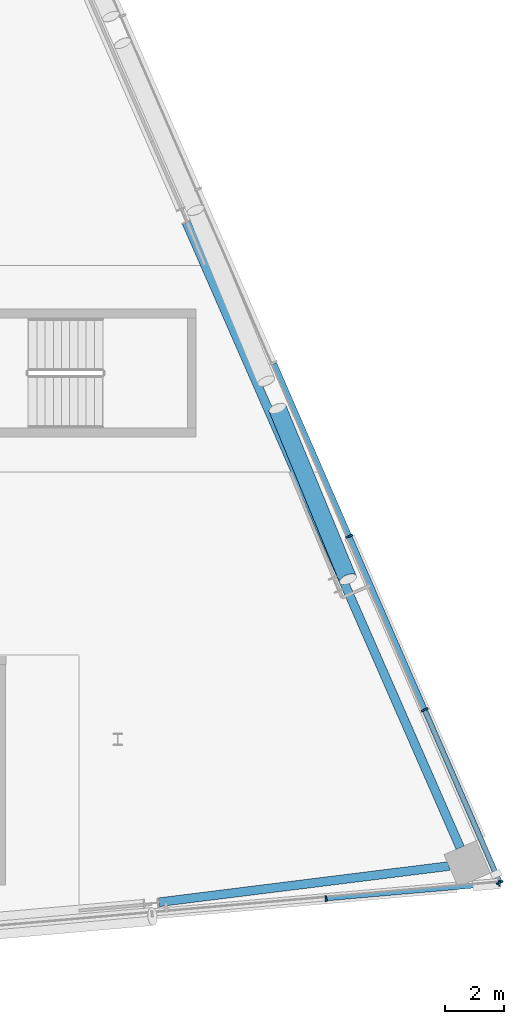
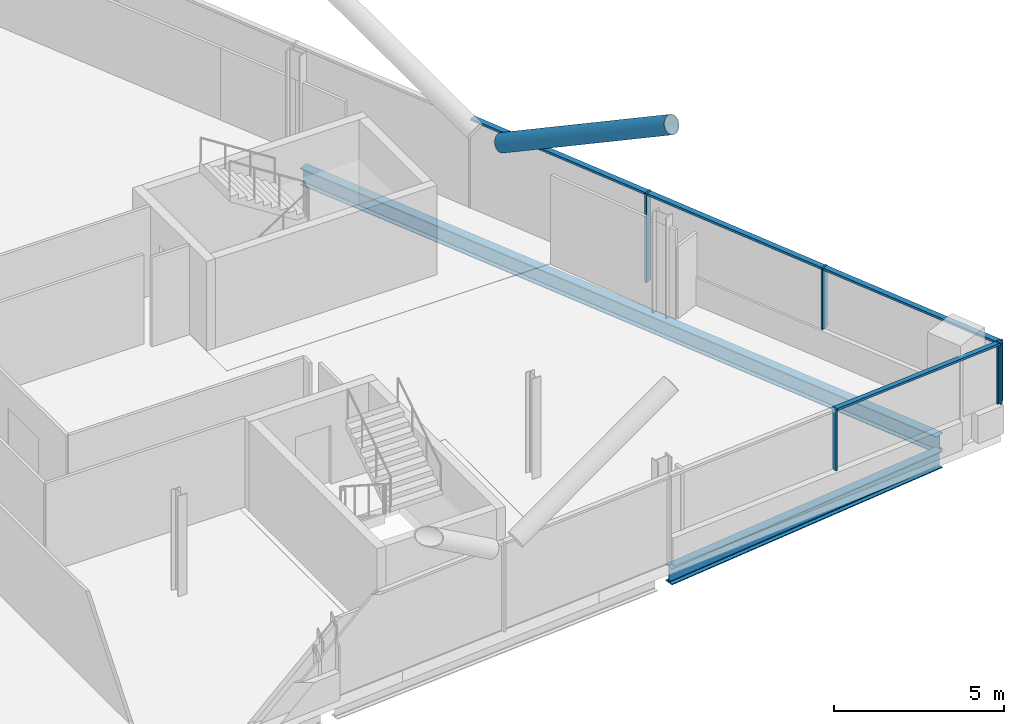
# One storey, part 12 of 26: 10 members, 2 beams, 2 elements without a shape of their own.
"""IFC4 building model written with IfcOpenShell, lengths in metres."""

from ifc_helpers import new_model, si_unit, direction, frame, origin, origin_2d, place, context, subcontext, project, spatial, rectangle, hollow_circle, i_section, extrude, material, material_profile, profile_set, type_object, element, aggregate, save


model = new_model("IFC4")

# Units and contexts
model_context = context("Model", 3, precision=1e-05, world=origin(), true_north=direction((0.0, 1.0)))
body_context = subcontext(model_context, "Body", "Model", "MODEL_VIEW")
ifc_project = project(units=[si_unit("LENGTHUNIT", "METRE"), si_unit("AREAUNIT", "SQUARE_METRE"), si_unit("VOLUMEUNIT", "CUBIC_METRE"), si_unit("PLANEANGLEUNIT", "RADIAN"), si_unit("MASSUNIT", "GRAM", prefix="KILO")], contexts=[model_context])

# Site, building, storey
site_placement = place(None, origin())
site = spatial("IfcSite", under=ifc_project, at=site_placement, CompositionType="ELEMENT")
building_placement = place(site_placement, origin())
building = spatial("IfcBuilding", under=site, at=building_placement, Name="Wharfspan Tower", CompositionType="ELEMENT")
storey_placement = place(building_placement, frame((0.0, 0.0, 235.899902)))
storey = spatial("IfcBuildingStorey", under=building, at=storey_placement, Name="L59", CompositionType="ELEMENT", Elevation=235.899902)

# Beams
ifc_material_1 = material(Name="Steel S355J2", Category="steel")
ifc_material_profile_1 = material_profile(ifc_material_1, i_section(OverallWidth=0.300049, OverallDepth=0.600098, WebThickness=0.015381, FlangeThickness=0.030029, FilletRadius=0.0271, at=origin_2d()))
ifc_profile_set_1 = profile_set([ifc_material_profile_1], Name="Steel S355J2")
beam_type = type_object("IfcBeamType", Name="Edge beam HEB 600", PredefinedType="SPANDREL", material=ifc_profile_set_1)
beam_1_placement = place(storey_placement, frame((73.391602, 5.955322, -0.699951), z_axis=(0.992301, 0.123848, 0.0), x_axis=(-0.123848, 0.992301, 0.0)))
element("IfcBeam", 1, at=beam_1_placement, inside=storey, type_object=beam_type, Name="Edge beam S2 L59 PS2.2 to MC4", PredefinedType="SPANDREL", context=body_context, shape_type="SweptSolid", body=[
    extrude(i_section(OverallWidth=0.300049, OverallDepth=0.600098, WebThickness=0.015381, FlangeThickness=0.030029, FilletRadius=0.0271, at=origin_2d()), origin(), (0.0, 0.0, 1.0), 9.951172),
])
beam_2_placement = place(storey_placement, frame((83.643799, 7.810547, -0.699951), z_axis=(-0.401141, 0.916016, 0.0), x_axis=(-0.916016, -0.401141, 0.0)))
element("IfcBeam", 2, at=beam_2_placement, inside=storey, type_object=beam_type, Name="Edge beam E L59 MC4 to PE.2", PredefinedType="SPANDREL", context=body_context, shape_type="SweptSolid", body=[
    extrude(i_section(OverallWidth=0.300049, OverallDepth=0.600098, WebThickness=0.015381, FlangeThickness=0.030029, FilletRadius=0.0271, at=origin_2d()), origin(), (0.0, 0.0, 1.0), 23.196045),
])

# Curtain wall, members
ifc_material_2 = material(Name="Aluminium 6063-T6", Category="aluminium")
curtain_wall_type_1 = type_object("IfcCurtainWallType", Name="CURTAIN WALL FACETED FRONT", PredefinedType="NOTDEFINED", material=ifc_material_2)
curtain_wall_1_placement = place(storey_placement, origin())
curtain_wall_1 = element("IfcCurtainWall", 3, at=curtain_wall_1_placement, inside=storey, type_object=curtain_wall_type_1, Name="Curtain wall S2", PredefinedType="NOTDEFINED")
ifc_material_profile_2 = material_profile(ifc_material_2, rectangle(XDim=0.199951, YDim=0.060059, at=origin_2d()))
ifc_profile_set_2 = profile_set([ifc_material_profile_2], Name="Aluminium 6063-T6")
member_type_1 = type_object("IfcMemberType", Name="MULLION FACETED FRONT 60x200", PredefinedType="MULLION", material=ifc_profile_set_2)
member_1_placement = place(storey_placement, frame((79.083252, 6.082275, 1.0), z_axis=(0.0, 0.0, 1.0), x_axis=(-0.087156, 0.996197, 0.0)))
member_1 = element("IfcMember", 4, at=member_1_placement, type_object=member_type_1, Name="Curtain wall S2 mullion 6", PredefinedType="MULLION", context=body_context, shape_type="SweptSolid", body=[
    extrude(rectangle(XDim=0.199951, YDim=0.060059, at=origin_2d()), origin(), (0.0, 0.0, 1.0), 2.200195),
])
member_2_placement = place(storey_placement, frame((84.970215, 6.597412, 1.0), z_axis=(0.0, 0.0, 1.0), x_axis=(-0.087156, 0.996197, 0.0)))
member_2 = element("IfcMember", 5, at=member_2_placement, type_object=member_type_1, Name="Curtain wall S2 mullion 7", PredefinedType="MULLION", context=body_context, shape_type="SweptSolid", body=[
    extrude(rectangle(XDim=0.199951, YDim=0.060059, at=origin_2d()), origin(), (0.0, 0.0, 1.0), 2.200195),
])

curtain_wall_type_2 = type_object("IfcCurtainWallType", Name="CURTAIN WALL PROW AND END", PredefinedType="NOTDEFINED", material=ifc_material_2)
curtain_wall_2_placement = place(storey_placement, origin())
curtain_wall_2 = element("IfcCurtainWall", 6, at=curtain_wall_2_placement, inside=storey, type_object=curtain_wall_type_2, Name="Curtain wall E", PredefinedType="NOTDEFINED")
ifc_material_profile_3 = material_profile(ifc_material_2, rectangle(XDim=0.23999, YDim=0.060059, at=origin_2d()))
ifc_profile_set_3 = profile_set([ifc_material_profile_3], Name="Aluminium 6063-T6")
member_type_2 = type_object("IfcMemberType", Name="MULLION PROW AND END 60x240", PredefinedType="MULLION", material=ifc_profile_set_3)
member_3_placement = place(storey_placement, frame((84.988037, 6.627441, 1.0), z_axis=(0.0, 0.0, 1.0), x_axis=(-0.917072, -0.398727, 0.0)))
member_3 = element("IfcMember", 7, at=member_3_placement, type_object=member_type_2, Name="Curtain wall E mullion 1", PredefinedType="MULLION", context=body_context, shape_type="SweptSolid", body=[
    extrude(rectangle(XDim=0.23999, YDim=0.060059, at=origin_2d()), origin(), (0.0, 0.0, 1.0), 2.200195),
])
member_4_placement = place(storey_placement, frame((82.434814, 12.5, 1.0), z_axis=(0.0, 0.0, 1.0), x_axis=(-0.917072, -0.398727, 0.0)))
member_4 = element("IfcMember", 8, at=member_4_placement, type_object=member_type_2, Name="Curtain wall E mullion 2", PredefinedType="MULLION", context=body_context, shape_type="SweptSolid", body=[
    extrude(rectangle(XDim=0.23999, YDim=0.060059, at=origin_2d()), origin(), (0.0, 0.0, 1.0), 2.200195),
])
member_5_placement = place(storey_placement, frame((79.869629, 18.399902, 0.0), z_axis=(0.0, 0.0, 1.0), x_axis=(-0.917072, -0.398727, 0.0)))
member_5 = element("IfcMember", 9, at=member_5_placement, type_object=member_type_2, Name="Curtain wall E mullion 3", PredefinedType="MULLION", context=body_context, shape_type="SweptSolid", body=[
    extrude(rectangle(XDim=0.23999, YDim=0.060059, at=origin_2d()), origin(), (0.0, 0.0, 1.0), 3.200195),
])

# Member
ifc_material_3 = material(Name="Steel S460NH", Category="steel")
ifc_material_profile_4 = material_profile(ifc_material_3, hollow_circle(Radius=0.304932, WallThickness=0.024902, at=origin_2d()))
ifc_profile_set_4 = profile_set([ifc_material_profile_4], Name="Steel S460NH")
member_type_3 = type_object("IfcMemberType", Name="Mega brace CHS 610x25", PredefinedType="BRACE", material=ifc_profile_set_4)
member_6_placement = place(storey_placement, frame((77.431885, 22.744141, 3.16748), z_axis=(0.337047, -0.816368, 0.46898), x_axis=(0.924317, 0.381615, 0.0)))
element("IfcMember", 10, at=member_6_placement, inside=storey, type_object=member_type_3, Name="Mega brace E5 L59 part 4", PredefinedType="BRACE", context=body_context, shape_type="SweptSolid", body=[
    extrude(hollow_circle(Radius=0.304932, WallThickness=0.024902, at=origin_2d()), origin(), (0.0, 0.0, 1.0), 7.105957),
])

ifc_material_profile_5 = material_profile(ifc_material_2, rectangle(XDim=0.159912, YDim=0.080078, at=origin_2d()))
ifc_profile_set_5 = profile_set([ifc_material_profile_5], Name="Aluminium 6063-T6")
member_type_4 = type_object("IfcMemberType", Name="TRANSOM FACETED FRONT 80x160", PredefinedType="USERDEFINED", material=ifc_profile_set_5)
member_7_placement = place(storey_placement, frame((79.113281, 6.084961, 3.160156), z_axis=(0.996195, 0.087152, 0.0), x_axis=(-0.087152, 0.996195, 0.0)))
member_7 = element("IfcMember", 11, at=member_7_placement, type_object=member_type_4, Name="Curtain wall S2 transom 6", ObjectType="TRANSOM", PredefinedType="USERDEFINED", context=body_context, shape_type="SweptSolid", body=[
    extrude(rectangle(XDim=0.159912, YDim=0.080078, at=origin_2d()), origin(), (0.0, 0.0, 1.0), 5.849121),
])

aggregate(curtain_wall_1, [member_1, member_2, member_7])

ifc_material_profile_6 = material_profile(ifc_material_2, rectangle(XDim=0.179932, YDim=0.080078, at=origin_2d()))
ifc_profile_set_6 = profile_set([ifc_material_profile_6], Name="Aluminium 6063-T6")
member_type_5 = type_object("IfcMemberType", Name="TRANSOM PROW AND END 80x180", PredefinedType="USERDEFINED", material=ifc_profile_set_6)
member_8_placement = place(storey_placement, frame((84.976074, 6.655029, 3.160156), z_axis=(-0.398726, 0.91707, 0.0), x_axis=(-0.91707, -0.398726, 0.0)))
member_8 = element("IfcMember", 12, at=member_8_placement, type_object=member_type_5, Name="Curtain wall E transom 1", ObjectType="TRANSOM", PredefinedType="USERDEFINED", context=body_context, shape_type="SweptSolid", body=[
    extrude(rectangle(XDim=0.179932, YDim=0.080078, at=origin_2d()), origin(), (0.0, 0.0, 1.0), 6.343506),
])

member_9_placement = place(storey_placement, frame((82.422852, 12.527588, 3.160156), z_axis=(-0.398722, 0.917072, 0.0), x_axis=(-0.917072, -0.398722, 0.0)))
member_9 = element("IfcMember", 13, at=member_9_placement, type_object=member_type_5, Name="Curtain wall E transom 2", ObjectType="TRANSOM", PredefinedType="USERDEFINED", context=body_context, shape_type="SweptSolid", body=[
    extrude(rectangle(XDim=0.179932, YDim=0.080078, at=origin_2d()), origin(), (0.0, 0.0, 1.0), 6.373535),
])

member_10_placement = place(storey_placement, frame((79.857666, 18.42749, 3.160156), z_axis=(-0.398722, 0.917072, 0.0), x_axis=(-0.917072, -0.398722, 0.0)))
member_10 = element("IfcMember", 14, at=member_10_placement, type_object=member_type_5, Name="Curtain wall E transom 3", ObjectType="TRANSOM", PredefinedType="USERDEFINED", context=body_context, shape_type="SweptSolid", body=[
    extrude(rectangle(XDim=0.179932, YDim=0.080078, at=origin_2d()), origin(), (0.0, 0.0, 1.0), 6.373535),
])

aggregate(curtain_wall_2, [member_3, member_4, member_5, member_8, member_9, member_10])

save(model, "model.ifc")
